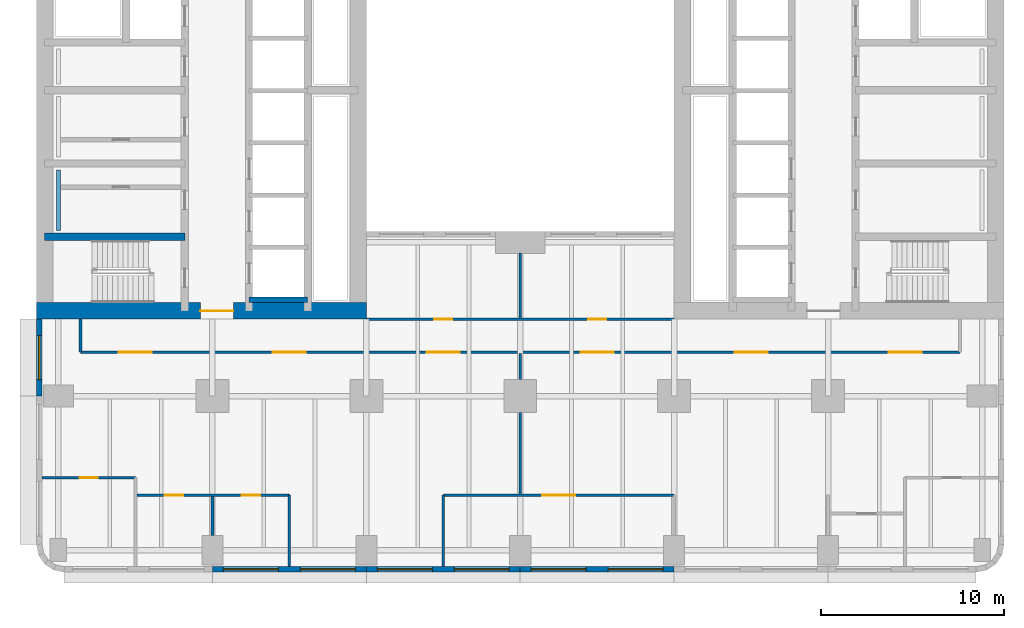
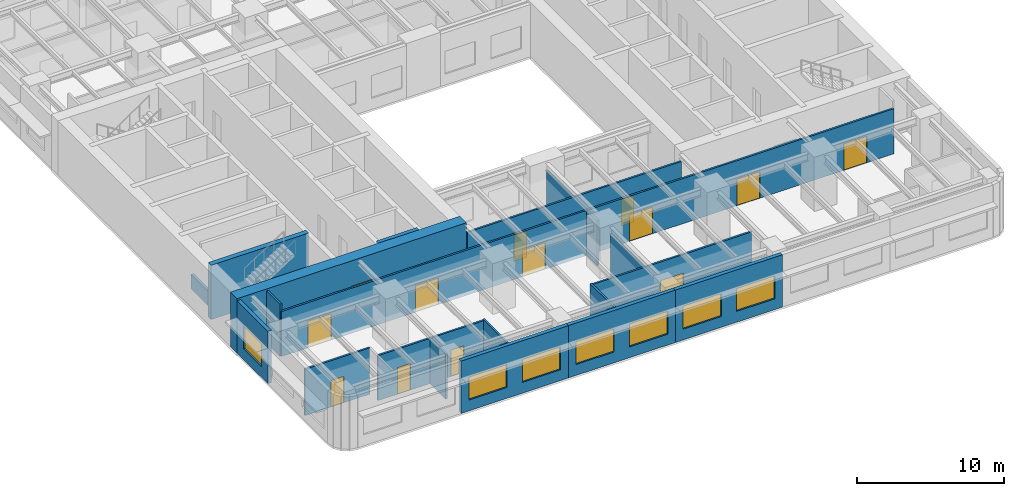
# One storey, part 3 of 12: 20 walls, 13 doors, 7 windows, 20 openings.
"""IFC4 building model written with IfcOpenShell, lengths in metres."""

from ifc_helpers import new_model, si_unit, direction, frame, frame_2d, origin, place, context, subcontext, project, spatial, rectangle, extrude, material, layer, layer_set, type_object, element, fill, save


model = new_model("IFC4")

# Units and contexts
model_context = context("Model", 3, precision=1e-05, world=origin(), true_north=direction((0.0, 1.0)))
body_context = subcontext(model_context, "Body", "Model", "MODEL_VIEW")
ifc_project = project(units=[si_unit("LENGTHUNIT", "METRE"), si_unit("AREAUNIT", "SQUARE_METRE"), si_unit("VOLUMEUNIT", "CUBIC_METRE"), si_unit("PLANEANGLEUNIT", "RADIAN"), si_unit("MASSUNIT", "GRAM", prefix="KILO")], contexts=[model_context])

# Site, building, storey
site_placement = place(None, origin())
site = spatial("IfcSite", under=ifc_project, at=site_placement, CompositionType="ELEMENT")
building_placement = place(site_placement, origin())
building = spatial("IfcBuilding", under=site, at=building_placement, Name="Claustro Exchange Tower", CompositionType="ELEMENT")
storey_placement = place(building_placement, frame((0.0, 0.0, 50.39990234375)))
storey = spatial("IfcBuildingStorey", under=building, at=storey_placement, Name="L11", CompositionType="ELEMENT", Elevation=50.39990234375)

# Wall, opening, door
ifc_material_1 = material(Name="Gypsum board on steel studs", Category="steel")
ifc_layer_1 = layer(ifc_material_1, 0.14990234375)
ifc_layer_set_1 = layer_set([ifc_layer_1], Name="Gypsum board on steel studs")
wall_type_1 = type_object("IfcWallType", Name="P1 150 plasterboard partition", PredefinedType="PARTITIONING", material=ifc_layer_set_1)
wall_1_placement = place(storey_placement, frame((-0.902099609375, 3.949951171875, 0.0), z_axis=(0.0, 0.0, 1.0), x_axis=(1.0, 0.0, 0.0)))
wall_1 = element("IfcWall", 1, at=wall_1_placement, inside=storey, type_object=wall_type_1, Name="Partition P1 L11", PredefinedType="PARTITIONING", context=body_context, shape_type="SweptSolid", body=[
    extrude(rectangle(XDim=5.10205078125, YDim=0.14990234375, at=frame_2d((2.551025390625, 0.0))), origin(), (0.0, 0.0, 1.0), 3.840087890625),
])
opening_1_placement = place(wall_1_placement, frame((2.052001953125, 0.0, 0.0)))
opening_1 = element("IfcOpeningElement", 2, at=opening_1_placement, cuts=wall_1, Name="Opening D1", PredefinedType="OPENING", context=body_context, shape_type="SweptSolid", body=[
    extrude(rectangle(XDim=1.0, YDim=2.199951171875, at=frame_2d((0.5, 1.10009765625))), frame((0.0, 0.0849609375, 0.0), z_axis=(0.0, -1.0, 0.0), x_axis=(1.0, 0.0, 0.0)), (0.0, 0.0, 1.0), 0.169921875),
])
ifc_material_2 = material(Name="Timber door, oak veneer", Category="wood")
door_type_1 = type_object("IfcDoorType", Name="D1 1000 x 2200 single door", OperationType="SINGLE_SWING_LEFT", PredefinedType="DOOR", material=ifc_material_2)
door_1_placement = place(opening_1_placement, frame((1.0, 0.0, 0.0), z_axis=(0.0, 0.0, 1.0), x_axis=(-1.0, 0.0, 0.0)))
door_1 = element("IfcDoor", 3, at=door_1_placement, inside=storey, type_object=door_type_1, Name="Door D1 L11", OperationType="SINGLE_SWING_LEFT", OverallHeight=2.199951171875, OverallWidth=1.0, PredefinedType="DOOR", context=body_context, shape_type="SweptSolid", body=[
    extrude(rectangle(XDim=1.0, YDim=2.199951171875, at=frame_2d((0.5, 1.10009765625))), frame((0.0, 0.02490234375, 0.0), z_axis=(0.0, -1.0, 0.0), x_axis=(1.0, 0.0, 0.0)), (0.0, 0.0, 1.0), 0.050048828125),
])
fill(opening_1, door_1)

# Wall, openings, doors
wall_2_placement = place(storey_placement, frame((4.27392578125, 3.0, 0.0), z_axis=(0.0, 0.0, 1.0), x_axis=(1.0, 0.0, 0.0)))
wall_2 = element("IfcWall", 4, at=wall_2_placement, inside=storey, type_object=wall_type_1, Name="Partition P1 L11", PredefinedType="PARTITIONING", context=body_context, shape_type="SweptSolid", body=[
    extrude(rectangle(XDim=8.326171875, YDim=0.14990234375, at=frame_2d((4.1630859375, 0.0))), origin(), (0.0, 0.0, 1.0), 3.739990234375),
])
opening_2_placement = place(wall_2_placement, frame((1.52587890625, 0.0, 0.0)))
opening_2 = element("IfcOpeningElement", 5, at=opening_2_placement, cuts=wall_2, Name="Opening D1", PredefinedType="OPENING", context=body_context, shape_type="SweptSolid", body=[
    extrude(rectangle(XDim=1.0, YDim=2.199951171875, at=frame_2d((0.5, 1.10009765625))), frame((0.0, 0.0849609375, 0.0), z_axis=(0.0, -1.0, 0.0), x_axis=(1.0, 0.0, 0.0)), (0.0, 0.0, 1.0), 0.169921875),
])
opening_3_placement = place(wall_2_placement, frame((5.72607421875, 0.0, 0.0)))
opening_3 = element("IfcOpeningElement", 6, at=opening_3_placement, cuts=wall_2, Name="Opening D1", PredefinedType="OPENING", context=body_context, shape_type="SweptSolid", body=[
    extrude(rectangle(XDim=1.0, YDim=2.199951171875, at=frame_2d((0.5, 1.10009765625))), frame((0.0, 0.0849609375, 0.0), z_axis=(0.0, -1.0, 0.0), x_axis=(1.0, 0.0, 0.0)), (0.0, 0.0, 1.0), 0.169921875),
])
door_2_placement = place(opening_2_placement, frame((1.0, 0.0, 0.0), z_axis=(0.0, 0.0, 1.0), x_axis=(-1.0, 0.0, 0.0)))
door_2 = element("IfcDoor", 7, at=door_2_placement, inside=storey, type_object=door_type_1, Name="Door D1 L11", OperationType="SINGLE_SWING_RIGHT", OverallHeight=2.199951171875, OverallWidth=1.0, PredefinedType="DOOR", context=body_context, shape_type="SweptSolid", body=[
    extrude(rectangle(XDim=1.0, YDim=2.199951171875, at=frame_2d((0.5, 1.10009765625))), frame((0.0, 0.02490234375, 0.0), z_axis=(0.0, -1.0, 0.0), x_axis=(1.0, 0.0, 0.0)), (0.0, 0.0, 1.0), 0.050048828125),
])
fill(opening_2, door_2)
door_3_placement = place(opening_3_placement, frame((1.0, 0.0, 0.0), z_axis=(0.0, 0.0, 1.0), x_axis=(-1.0, 0.0, 0.0)))
door_3 = element("IfcDoor", 8, at=door_3_placement, inside=storey, type_object=door_type_1, Name="Door D1 L11", OperationType="SINGLE_SWING_RIGHT", OverallHeight=2.199951171875, OverallWidth=1.0, PredefinedType="DOOR", context=body_context, shape_type="SweptSolid", body=[
    extrude(rectangle(XDim=1.0, YDim=2.199951171875, at=frame_2d((0.5, 1.10009765625))), frame((0.0, 0.02490234375, 0.0), z_axis=(0.0, -1.0, 0.0), x_axis=(1.0, 0.0, 0.0)), (0.0, 0.0, 1.0), 0.050048828125),
])
fill(opening_3, door_3)

# Walls
wall_3_placement = place(storey_placement, frame((8.39990234375, 0.799072265625, 0.0), z_axis=(0.0, 0.0, 1.0), x_axis=(0.0, 1.0, 0.0)))
element("IfcWall", 9, at=wall_3_placement, inside=storey, type_object=wall_type_1, Name="Partition P1 L11", PredefinedType="PARTITIONING", context=body_context, shape_type="SweptSolid", body=[
    extrude(rectangle(XDim=2.126953125, YDim=0.14990234375, at=frame_2d((1.0634765625, 0.0))), origin(), (0.0, 0.0, 1.0), 3.739990234375),
])
wall_4_placement = place(storey_placement, frame((12.60009765625, -0.902099609375, 0.0), z_axis=(0.0, 0.0, 1.0), x_axis=(0.0, 1.0, 0.0)))
element("IfcWall", 10, at=wall_4_placement, inside=storey, type_object=wall_type_1, Name="Partition P1 L11", PredefinedType="PARTITIONING", context=body_context, shape_type="SweptSolid", body=[
    extrude(rectangle(XDim=3.902099609375, YDim=0.14990234375, at=frame_2d((1.951171875, 0.0))), origin(), (0.0, 0.0, 1.0), 3.840087890625),
])

# Wall, opening, door
wall_5_placement = place(storey_placement, frame((21.0, 3.0, 0.0), z_axis=(0.0, 0.0, 1.0), x_axis=(1.0, 0.0, 0.0)))
wall_5 = element("IfcWall", 11, at=wall_5_placement, inside=storey, type_object=wall_type_1, Name="Partition P1 L11", PredefinedType="PARTITIONING", context=body_context, shape_type="SweptSolid", body=[
    extrude(rectangle(XDim=12.60009765625, YDim=0.14990234375, at=frame_2d((6.300048828125, 0.0))), origin(), (0.0, 0.0, 1.0), 3.739990234375),
])
opening_4_placement = place(wall_5_placement, frame((5.39990234375, 0.0, 0.0)))
opening_4 = element("IfcOpeningElement", 12, at=opening_4_placement, cuts=wall_5, Name="Opening D2", PredefinedType="OPENING", context=body_context, shape_type="SweptSolid", body=[
    extrude(rectangle(XDim=1.800048828125, YDim=2.199951171875, at=frame_2d((0.89990234375, 1.10009765625))), frame((0.0, 0.0849609375, 0.0), z_axis=(0.0, -1.0, 0.0), x_axis=(1.0, 0.0, 0.0)), (0.0, 0.0, 1.0), 0.169921875),
])
ifc_material_3 = material(Name="Timber door, oak veneer", Category="wood")
door_type_2 = type_object("IfcDoorType", Name="D2 1800 x 2200 double door", OperationType="DOUBLE_DOOR_SINGLE_SWING", PredefinedType="DOOR", material=ifc_material_3)
door_4_placement = place(opening_4_placement, frame((1.800048828125, 0.0, 0.0), z_axis=(0.0, 0.0, 1.0), x_axis=(-1.0, 0.0, 0.0)))
door_4 = element("IfcDoor", 13, at=door_4_placement, inside=storey, type_object=door_type_2, Name="Double door D2 L11", OperationType="DOUBLE_DOOR_SINGLE_SWING", OverallHeight=2.199951171875, OverallWidth=1.800048828125, PredefinedType="DOOR", context=body_context, shape_type="SweptSolid", body=[
    extrude(rectangle(XDim=1.800048828125, YDim=2.199951171875, at=frame_2d((0.89990234375, 1.10009765625))), frame((0.0, 0.02490234375, 0.0), z_axis=(0.0, -1.0, 0.0), x_axis=(1.0, 0.0, 0.0)), (0.0, 0.0, 1.0), 0.050048828125),
])
fill(opening_4, door_4)

# Walls
wall_6_placement = place(storey_placement, frame((21.0, -0.902099609375, 0.0), z_axis=(0.0, 0.0, 1.0), x_axis=(0.0, 1.0, 0.0)))
element("IfcWall", 14, at=wall_6_placement, inside=storey, type_object=wall_type_1, Name="Partition P1 L11", PredefinedType="PARTITIONING", context=body_context, shape_type="SweptSolid", body=[
    extrude(rectangle(XDim=3.902099609375, YDim=0.14990234375, at=frame_2d((1.951171875, 0.0))), origin(), (0.0, 0.0, 1.0), 3.840087890625),
])
wall_7_placement = place(storey_placement, frame((25.199951171875, 3.073974609375, 0.0), z_axis=(0.0, 0.0, 1.0), x_axis=(0.0, 1.0, 0.0)))
element("IfcWall", 15, at=wall_7_placement, inside=storey, type_object=wall_type_1, Name="Partition P1 L11", PredefinedType="PARTITIONING", context=body_context, shape_type="SweptSolid", body=[
    extrude(rectangle(XDim=4.427001953125, YDim=0.14990234375, at=frame_2d((2.21337890625, 0.0))), origin(), (0.0, 0.0, 1.0), 3.739990234375),
])
wall_8_placement = place(storey_placement, frame((25.199951171875, 9.299072265625, 0.0), z_axis=(0.0, 0.0, 1.0), x_axis=(0.0, 1.0, 0.0)))
element("IfcWall", 16, at=wall_8_placement, inside=storey, type_object=wall_type_1, Name="Partition P1 L11", PredefinedType="PARTITIONING", context=body_context, shape_type="SweptSolid", body=[
    extrude(rectangle(XDim=1.427001953125, YDim=0.14990234375, at=frame_2d((0.71337890625, 0.0))), origin(), (0.0, 0.0, 1.0), 3.739990234375),
])

# Wall, openings, doors
wall_9_placement = place(storey_placement, frame((1.199951171875, 10.800048828125, 0.0), z_axis=(0.0, 0.0, 1.0), x_axis=(1.0, 0.0, 0.0)))
wall_9 = element("IfcWall", 17, at=wall_9_placement, inside=storey, type_object=wall_type_1, Name="Partition P1 L11", PredefinedType="PARTITIONING", context=body_context, shape_type="SweptSolid", body=[
    extrude(rectangle(XDim=48.0, YDim=0.14990234375, at=frame_2d((24.0, 0.0))), origin(), (0.0, 0.0, 1.0), 3.739990234375),
])
opening_5_placement = place(wall_9_placement, frame((2.10009765625, 0.0, 0.0)))
opening_5 = element("IfcOpeningElement", 18, at=opening_5_placement, cuts=wall_9, Name="Opening D2", PredefinedType="OPENING", context=body_context, shape_type="SweptSolid", body=[
    extrude(rectangle(XDim=1.800048828125, YDim=2.199951171875, at=frame_2d((0.89990234375, 1.10009765625))), frame((0.0, 0.0849609375, 0.0), z_axis=(0.0, -1.0, 0.0), x_axis=(1.0, 0.0, 0.0)), (0.0, 0.0, 1.0), 0.169921875),
])
opening_6_placement = place(wall_9_placement, frame((10.5, 0.0, 0.0)))
opening_6 = element("IfcOpeningElement", 19, at=opening_6_placement, cuts=wall_9, Name="Opening D2", PredefinedType="OPENING", context=body_context, shape_type="SweptSolid", body=[
    extrude(rectangle(XDim=1.800048828125, YDim=2.199951171875, at=frame_2d((0.89990234375, 1.10009765625))), frame((0.0, 0.0849609375, 0.0), z_axis=(0.0, -1.0, 0.0), x_axis=(1.0, 0.0, 0.0)), (0.0, 0.0, 1.0), 0.169921875),
])
opening_7_placement = place(wall_9_placement, frame((18.89990234375, 0.0, 0.0)))
opening_7 = element("IfcOpeningElement", 20, at=opening_7_placement, cuts=wall_9, Name="Opening D2", PredefinedType="OPENING", context=body_context, shape_type="SweptSolid", body=[
    extrude(rectangle(XDim=1.800048828125, YDim=2.199951171875, at=frame_2d((0.89990234375, 1.10009765625))), frame((0.0, 0.0849609375, 0.0), z_axis=(0.0, -1.0, 0.0), x_axis=(1.0, 0.0, 0.0)), (0.0, 0.0, 1.0), 0.169921875),
])
opening_8_placement = place(wall_9_placement, frame((27.300048828125, 0.0, 0.0)))
opening_8 = element("IfcOpeningElement", 21, at=opening_8_placement, cuts=wall_9, Name="Opening D2", PredefinedType="OPENING", context=body_context, shape_type="SweptSolid", body=[
    extrude(rectangle(XDim=1.800048828125, YDim=2.199951171875, at=frame_2d((0.89990234375, 1.10009765625))), frame((0.0, 0.0849609375, 0.0), z_axis=(0.0, -1.0, 0.0), x_axis=(1.0, 0.0, 0.0)), (0.0, 0.0, 1.0), 0.169921875),
])
opening_9_placement = place(wall_9_placement, frame((35.699951171875, 0.0, 0.0)))
opening_9 = element("IfcOpeningElement", 22, at=opening_9_placement, cuts=wall_9, Name="Opening D2", PredefinedType="OPENING", context=body_context, shape_type="SweptSolid", body=[
    extrude(rectangle(XDim=1.800048828125, YDim=2.199951171875, at=frame_2d((0.89990234375, 1.10009765625))), frame((0.0, 0.0849609375, 0.0), z_axis=(0.0, -1.0, 0.0), x_axis=(1.0, 0.0, 0.0)), (0.0, 0.0, 1.0), 0.169921875),
])
opening_10_placement = place(wall_9_placement, frame((44.10009765625, 0.0, 0.0)))
opening_10 = element("IfcOpeningElement", 23, at=opening_10_placement, cuts=wall_9, Name="Opening D2", PredefinedType="OPENING", context=body_context, shape_type="SweptSolid", body=[
    extrude(rectangle(XDim=1.800048828125, YDim=2.199951171875, at=frame_2d((0.89990234375, 1.10009765625))), frame((0.0, 0.0849609375, 0.0), z_axis=(0.0, -1.0, 0.0), x_axis=(1.0, 0.0, 0.0)), (0.0, 0.0, 1.0), 0.169921875),
])
door_5_placement = place(opening_5_placement, frame((1.800048828125, 0.0, 0.0), z_axis=(0.0, 0.0, 1.0), x_axis=(-1.0, 0.0, 0.0)))
door_5 = element("IfcDoor", 24, at=door_5_placement, inside=storey, type_object=door_type_2, Name="Double door D2 L11", OperationType="DOUBLE_DOOR_SINGLE_SWING", OverallHeight=2.199951171875, OverallWidth=1.800048828125, PredefinedType="DOOR", context=body_context, shape_type="SweptSolid", body=[
    extrude(rectangle(XDim=1.800048828125, YDim=2.199951171875, at=frame_2d((0.89990234375, 1.10009765625))), frame((0.0, 0.02490234375, 0.0), z_axis=(0.0, -1.0, 0.0), x_axis=(1.0, 0.0, 0.0)), (0.0, 0.0, 1.0), 0.050048828125),
])
fill(opening_5, door_5)
door_6_placement = place(opening_6_placement, frame((1.800048828125, 0.0, 0.0), z_axis=(0.0, 0.0, 1.0), x_axis=(-1.0, 0.0, 0.0)))
door_6 = element("IfcDoor", 25, at=door_6_placement, inside=storey, type_object=door_type_2, Name="Double door D2 L11", OperationType="DOUBLE_DOOR_SINGLE_SWING", OverallHeight=2.199951171875, OverallWidth=1.800048828125, PredefinedType="DOOR", context=body_context, shape_type="SweptSolid", body=[
    extrude(rectangle(XDim=1.800048828125, YDim=2.199951171875, at=frame_2d((0.89990234375, 1.10009765625))), frame((0.0, 0.02490234375, 0.0), z_axis=(0.0, -1.0, 0.0), x_axis=(1.0, 0.0, 0.0)), (0.0, 0.0, 1.0), 0.050048828125),
])
fill(opening_6, door_6)
door_7_placement = place(opening_7_placement, frame((1.800048828125, 0.0, 0.0), z_axis=(0.0, 0.0, 1.0), x_axis=(-1.0, 0.0, 0.0)))
door_7 = element("IfcDoor", 26, at=door_7_placement, inside=storey, type_object=door_type_2, Name="Double door D2 L11", OperationType="DOUBLE_DOOR_SINGLE_SWING", OverallHeight=2.199951171875, OverallWidth=1.800048828125, PredefinedType="DOOR", context=body_context, shape_type="SweptSolid", body=[
    extrude(rectangle(XDim=1.800048828125, YDim=2.199951171875, at=frame_2d((0.89990234375, 1.10009765625))), frame((0.0, 0.02490234375, 0.0), z_axis=(0.0, -1.0, 0.0), x_axis=(1.0, 0.0, 0.0)), (0.0, 0.0, 1.0), 0.050048828125),
])
fill(opening_7, door_7)
door_8_placement = place(opening_8_placement, frame((1.800048828125, 0.0, 0.0), z_axis=(0.0, 0.0, 1.0), x_axis=(-1.0, 0.0, 0.0)))
door_8 = element("IfcDoor", 27, at=door_8_placement, inside=storey, type_object=door_type_2, Name="Double door D2 L11", OperationType="DOUBLE_DOOR_SINGLE_SWING", OverallHeight=2.199951171875, OverallWidth=1.800048828125, PredefinedType="DOOR", context=body_context, shape_type="SweptSolid", body=[
    extrude(rectangle(XDim=1.800048828125, YDim=2.199951171875, at=frame_2d((0.89990234375, 1.10009765625))), frame((0.0, 0.02490234375, 0.0), z_axis=(0.0, -1.0, 0.0), x_axis=(1.0, 0.0, 0.0)), (0.0, 0.0, 1.0), 0.050048828125),
])
fill(opening_8, door_8)
door_9_placement = place(opening_9_placement, frame((1.800048828125, 0.0, 0.0), z_axis=(0.0, 0.0, 1.0), x_axis=(-1.0, 0.0, 0.0)))
door_9 = element("IfcDoor", 28, at=door_9_placement, inside=storey, type_object=door_type_2, Name="Double door D2 L11", OperationType="DOUBLE_DOOR_SINGLE_SWING", OverallHeight=2.199951171875, OverallWidth=1.800048828125, PredefinedType="DOOR", context=body_context, shape_type="SweptSolid", body=[
    extrude(rectangle(XDim=1.800048828125, YDim=2.199951171875, at=frame_2d((0.89990234375, 1.10009765625))), frame((0.0, 0.02490234375, 0.0), z_axis=(0.0, -1.0, 0.0), x_axis=(1.0, 0.0, 0.0)), (0.0, 0.0, 1.0), 0.050048828125),
])
fill(opening_9, door_9)
door_10_placement = place(opening_10_placement, frame((1.800048828125, 0.0, 0.0), z_axis=(0.0, 0.0, 1.0), x_axis=(-1.0, 0.0, 0.0)))
door_10 = element("IfcDoor", 29, at=door_10_placement, inside=storey, type_object=door_type_2, Name="Double door D2 L11", OperationType="DOUBLE_DOOR_SINGLE_SWING", OverallHeight=2.199951171875, OverallWidth=1.800048828125, PredefinedType="DOOR", context=body_context, shape_type="SweptSolid", body=[
    extrude(rectangle(XDim=1.800048828125, YDim=2.199951171875, at=frame_2d((0.89990234375, 1.10009765625))), frame((0.0, 0.02490234375, 0.0), z_axis=(0.0, -1.0, 0.0), x_axis=(1.0, 0.0, 0.0)), (0.0, 0.0, 1.0), 0.050048828125),
])
fill(opening_10, door_10)

# Wall
wall_10_placement = place(storey_placement, frame((1.199951171875, 10.800048828125, 0.0), z_axis=(0.0, 0.0, 1.0), x_axis=(0.0, 1.0, 0.0)))
element("IfcWall", 30, at=wall_10_placement, inside=storey, type_object=wall_type_1, Name="Partition P1 L11", PredefinedType="PARTITIONING", context=body_context, shape_type="SweptSolid", body=[
    extrude(rectangle(XDim=1.802001953125, YDim=0.14990234375, at=frame_2d((0.90087890625, 0.0))), origin(), (0.0, 0.0, 1.0), 4.340087890625),
])

# Wall, openings, doors
wall_11_placement = place(storey_placement, frame((16.820068359375, 12.60009765625, 0.0), z_axis=(0.0, 0.0, 1.0), x_axis=(1.0, 0.0, 0.0)))
wall_11 = element("IfcWall", 31, at=wall_11_placement, inside=storey, type_object=wall_type_1, Name="Partition P1 L11", PredefinedType="PARTITIONING", context=body_context, shape_type="SweptSolid", body=[
    extrude(rectangle(XDim=16.760009765625, YDim=0.14990234375, at=frame_2d((8.3798828125, 0.0))), origin(), (0.0, 0.0, 1.0), 3.739990234375),
])
opening_11_placement = place(wall_11_placement, frame((3.679931640625, 0.0, 0.0)))
opening_11 = element("IfcOpeningElement", 32, at=opening_11_placement, cuts=wall_11, Name="Opening D1", PredefinedType="OPENING", context=body_context, shape_type="SweptSolid", body=[
    extrude(rectangle(XDim=1.0, YDim=2.199951171875, at=frame_2d((0.5, 1.10009765625))), frame((0.0, 0.0849609375, 0.0), z_axis=(0.0, -1.0, 0.0), x_axis=(1.0, 0.0, 0.0)), (0.0, 0.0, 1.0), 0.169921875),
])
opening_12_placement = place(wall_11_placement, frame((12.080078125, 0.0, 0.0)))
opening_12 = element("IfcOpeningElement", 33, at=opening_12_placement, cuts=wall_11, Name="Opening D1", PredefinedType="OPENING", context=body_context, shape_type="SweptSolid", body=[
    extrude(rectangle(XDim=1.0, YDim=2.199951171875, at=frame_2d((0.5, 1.10009765625))), frame((0.0, 0.0849609375, 0.0), z_axis=(0.0, -1.0, 0.0), x_axis=(1.0, 0.0, 0.0)), (0.0, 0.0, 1.0), 0.169921875),
])
door_11_placement = place(opening_11_placement, origin())
door_11 = element("IfcDoor", 34, at=door_11_placement, inside=storey, type_object=door_type_1, Name="Door D1 L11", OperationType="SINGLE_SWING_RIGHT", OverallHeight=2.199951171875, OverallWidth=1.0, PredefinedType="DOOR", context=body_context, shape_type="SweptSolid", body=[
    extrude(rectangle(XDim=1.0, YDim=2.199951171875, at=frame_2d((0.5, 1.10009765625))), frame((0.0, 0.02490234375, 0.0), z_axis=(0.0, -1.0, 0.0), x_axis=(1.0, 0.0, 0.0)), (0.0, 0.0, 1.0), 0.050048828125),
])
fill(opening_11, door_11)
door_12_placement = place(opening_12_placement, origin())
door_12 = element("IfcDoor", 35, at=door_12_placement, inside=storey, type_object=door_type_1, Name="Door D1 L11", OperationType="SINGLE_SWING_LEFT", OverallHeight=2.199951171875, OverallWidth=1.0, PredefinedType="DOOR", context=body_context, shape_type="SweptSolid", body=[
    extrude(rectangle(XDim=1.0, YDim=2.199951171875, at=frame_2d((0.5, 1.10009765625))), frame((0.0, 0.02490234375, 0.0), z_axis=(0.0, -1.0, 0.0), x_axis=(1.0, 0.0, 0.0)), (0.0, 0.0, 1.0), 0.050048828125),
])
fill(opening_12, door_12)

# Wall
wall_12_placement = place(storey_placement, frame((25.199951171875, 12.674072265625, 0.0), z_axis=(0.0, 0.0, 1.0), x_axis=(0.0, 1.0, 0.0)))
element("IfcWall", 36, at=wall_12_placement, inside=storey, type_object=wall_type_1, Name="Partition P1 L11", PredefinedType="PARTITIONING", context=body_context, shape_type="SweptSolid", body=[
    extrude(rectangle(XDim=3.52685546875, YDim=0.14990234375, at=frame_2d((1.763427734375, 0.0))), origin(), (0.0, 0.0, 1.0), 3.739990234375),
])

# Wall, openings, windows
ifc_material_4 = material(Name="Concrete HA-40 (C40/50), precast, white cement, acid-etched", Category="concrete")
ifc_layer_2 = layer(ifc_material_4, 0.300048828125)
ifc_layer_set_2 = layer_set([ifc_layer_2], Name="Concrete HA-40 (C40/50), precast, white cement, acid-etched")
wall_type_2 = type_object("IfcWallType", Name="PC1 300 precast concrete pier panel", PredefinedType="SOLIDWALL", material=ifc_layer_set_2)
wall_13_placement = place(storey_placement, frame((33.60009765625, -1.050048828125, 0.0), z_axis=(0.0, 0.0, 1.0), x_axis=(-1.0, 0.0, 0.0)))
wall_13 = element("IfcWall", 37, at=wall_13_placement, inside=storey, type_object=wall_type_2, Name="Precast pier panel PC1 L11", PredefinedType="SOLIDWALL", context=body_context, shape_type="SweptSolid", body=[
    extrude(rectangle(XDim=8.400146484375, YDim=0.300048828125, at=frame_2d((4.2001953125, 0.0))), origin(), (0.0, 0.0, 1.0), 4.340087890625),
])
opening_13_placement = place(wall_13_placement, frame((0.60009765625, 0.0, 0.89990234375)))
opening_13 = element("IfcOpeningElement", 38, at=opening_13_placement, cuts=wall_13, Name="Opening W1", PredefinedType="OPENING", context=body_context, shape_type="SweptSolid", body=[
    extrude(rectangle(XDim=3.0, YDim=1.89990234375, at=frame_2d((1.5, 0.949951171875))), frame((0.0, 0.159912109375, 0.0), z_axis=(0.0, -1.0, 0.0), x_axis=(1.0, 0.0, 0.0)), (0.0, 0.0, 1.0), 0.320068359375),
])
opening_14_placement = place(wall_13_placement, frame((4.800048828125, 0.0, 0.89990234375)))
opening_14 = element("IfcOpeningElement", 39, at=opening_14_placement, cuts=wall_13, Name="Opening W1", PredefinedType="OPENING", context=body_context, shape_type="SweptSolid", body=[
    extrude(rectangle(XDim=3.0, YDim=1.89990234375, at=frame_2d((1.5, 0.949951171875))), frame((0.0, 0.159912109375, 0.0), z_axis=(0.0, -1.0, 0.0), x_axis=(1.0, 0.0, 0.0)), (0.0, 0.0, 1.0), 0.320068359375),
])
ifc_material_5 = material(Name="Aluminium frame, clear double glazing", Category="aluminium")
window_type_1 = type_object("IfcWindowType", Name="W1 3000 x 1900 window", PartitioningType="SINGLE_PANEL", PredefinedType="WINDOW", material=ifc_material_5)
window_1_placement = place(opening_13_placement, origin())
window_1 = element("IfcWindow", 40, at=window_1_placement, inside=storey, type_object=window_type_1, Name="Window W1 L11", OverallHeight=1.89990234375, OverallWidth=3.0, PartitioningType="SINGLE_PANEL", PredefinedType="WINDOW", context=body_context, shape_type="SweptSolid", body=[
    extrude(rectangle(XDim=3.0, YDim=1.89990234375, at=frame_2d((1.5, 0.949951171875))), frame((0.0, 0.030029296875, 0.0), z_axis=(0.0, -1.0, 0.0), x_axis=(1.0, 0.0, 0.0)), (0.0, 0.0, 1.0), 0.06005859375),
])
fill(opening_13, window_1)
window_2_placement = place(opening_14_placement, origin())
window_2 = element("IfcWindow", 41, at=window_2_placement, inside=storey, type_object=window_type_1, Name="Window W1 L11", OverallHeight=1.89990234375, OverallWidth=3.0, PartitioningType="SINGLE_PANEL", PredefinedType="WINDOW", context=body_context, shape_type="SweptSolid", body=[
    extrude(rectangle(XDim=3.0, YDim=1.89990234375, at=frame_2d((1.5, 0.949951171875))), frame((0.0, 0.030029296875, 0.0), z_axis=(0.0, -1.0, 0.0), x_axis=(1.0, 0.0, 0.0)), (0.0, 0.0, 1.0), 0.06005859375),
])
fill(opening_14, window_2)

wall_14_placement = place(storey_placement, frame((25.199951171875, -1.050048828125, 0.0), z_axis=(0.0, 0.0, 1.0), x_axis=(-1.0, 0.0, 0.0)))
wall_14 = element("IfcWall", 42, at=wall_14_placement, inside=storey, type_object=wall_type_2, Name="Precast pier panel PC1 L11", PredefinedType="SOLIDWALL", context=body_context, shape_type="SweptSolid", body=[
    extrude(rectangle(XDim=8.39990234375, YDim=0.300048828125, at=frame_2d((4.199951171875, 0.0))), origin(), (0.0, 0.0, 1.0), 4.340087890625),
])
opening_15_placement = place(wall_14_placement, frame((0.60009765625, 0.0, 0.89990234375)))
opening_15 = element("IfcOpeningElement", 43, at=opening_15_placement, cuts=wall_14, Name="Opening W1", PredefinedType="OPENING", context=body_context, shape_type="SweptSolid", body=[
    extrude(rectangle(XDim=3.0, YDim=1.89990234375, at=frame_2d((1.5, 0.949951171875))), frame((0.0, 0.159912109375, 0.0), z_axis=(0.0, -1.0, 0.0), x_axis=(1.0, 0.0, 0.0)), (0.0, 0.0, 1.0), 0.320068359375),
])
opening_16_placement = place(wall_14_placement, frame((4.800048828125, 0.0, 0.89990234375)))
opening_16 = element("IfcOpeningElement", 44, at=opening_16_placement, cuts=wall_14, Name="Opening W1", PredefinedType="OPENING", context=body_context, shape_type="SweptSolid", body=[
    extrude(rectangle(XDim=3.0, YDim=1.89990234375, at=frame_2d((1.5, 0.949951171875))), frame((0.0, 0.159912109375, 0.0), z_axis=(0.0, -1.0, 0.0), x_axis=(1.0, 0.0, 0.0)), (0.0, 0.0, 1.0), 0.320068359375),
])
window_3_placement = place(opening_15_placement, origin())
window_3 = element("IfcWindow", 45, at=window_3_placement, inside=storey, type_object=window_type_1, Name="Window W1 L11", OverallHeight=1.89990234375, OverallWidth=3.0, PartitioningType="SINGLE_PANEL", PredefinedType="WINDOW", context=body_context, shape_type="SweptSolid", body=[
    extrude(rectangle(XDim=3.0, YDim=1.89990234375, at=frame_2d((1.5, 0.949951171875))), frame((0.0, 0.030029296875, 0.0), z_axis=(0.0, -1.0, 0.0), x_axis=(1.0, 0.0, 0.0)), (0.0, 0.0, 1.0), 0.06005859375),
])
fill(opening_15, window_3)
window_4_placement = place(opening_16_placement, origin())
window_4 = element("IfcWindow", 46, at=window_4_placement, inside=storey, type_object=window_type_1, Name="Window W1 L11", OverallHeight=1.89990234375, OverallWidth=3.0, PartitioningType="SINGLE_PANEL", PredefinedType="WINDOW", context=body_context, shape_type="SweptSolid", body=[
    extrude(rectangle(XDim=3.0, YDim=1.89990234375, at=frame_2d((1.5, 0.949951171875))), frame((0.0, 0.030029296875, 0.0), z_axis=(0.0, -1.0, 0.0), x_axis=(1.0, 0.0, 0.0)), (0.0, 0.0, 1.0), 0.06005859375),
])
fill(opening_16, window_4)

wall_15_placement = place(storey_placement, frame((16.800048828125, -1.050048828125, 0.0), z_axis=(0.0, 0.0, 1.0), x_axis=(-1.0, 0.0, 0.0)))
wall_15 = element("IfcWall", 47, at=wall_15_placement, inside=storey, type_object=wall_type_2, Name="Precast pier panel PC1 L11", PredefinedType="SOLIDWALL", context=body_context, shape_type="SweptSolid", body=[
    extrude(rectangle(XDim=8.400146484375, YDim=0.300048828125, at=frame_2d((4.2001953125, 0.0))), origin(), (0.0, 0.0, 1.0), 4.340087890625),
])
opening_17_placement = place(wall_15_placement, frame((0.60009765625, 0.0, 0.89990234375)))
opening_17 = element("IfcOpeningElement", 48, at=opening_17_placement, cuts=wall_15, Name="Opening W1", PredefinedType="OPENING", context=body_context, shape_type="SweptSolid", body=[
    extrude(rectangle(XDim=3.0, YDim=1.89990234375, at=frame_2d((1.5, 0.949951171875))), frame((0.0, 0.159912109375, 0.0), z_axis=(0.0, -1.0, 0.0), x_axis=(1.0, 0.0, 0.0)), (0.0, 0.0, 1.0), 0.320068359375),
])
opening_18_placement = place(wall_15_placement, frame((4.800048828125, 0.0, 0.89990234375)))
opening_18 = element("IfcOpeningElement", 49, at=opening_18_placement, cuts=wall_15, Name="Opening W1", PredefinedType="OPENING", context=body_context, shape_type="SweptSolid", body=[
    extrude(rectangle(XDim=3.0, YDim=1.89990234375, at=frame_2d((1.5, 0.949951171875))), frame((0.0, 0.159912109375, 0.0), z_axis=(0.0, -1.0, 0.0), x_axis=(1.0, 0.0, 0.0)), (0.0, 0.0, 1.0), 0.320068359375),
])
window_5_placement = place(opening_17_placement, origin())
window_5 = element("IfcWindow", 50, at=window_5_placement, inside=storey, type_object=window_type_1, Name="Window W1 L11", OverallHeight=1.89990234375, OverallWidth=3.0, PartitioningType="SINGLE_PANEL", PredefinedType="WINDOW", context=body_context, shape_type="SweptSolid", body=[
    extrude(rectangle(XDim=3.0, YDim=1.89990234375, at=frame_2d((1.5, 0.949951171875))), frame((0.0, 0.030029296875, 0.0), z_axis=(0.0, -1.0, 0.0), x_axis=(1.0, 0.0, 0.0)), (0.0, 0.0, 1.0), 0.06005859375),
])
fill(opening_17, window_5)
window_6_placement = place(opening_18_placement, origin())
window_6 = element("IfcWindow", 51, at=window_6_placement, inside=storey, type_object=window_type_1, Name="Window W1 L11", OverallHeight=1.89990234375, OverallWidth=3.0, PartitioningType="SINGLE_PANEL", PredefinedType="WINDOW", context=body_context, shape_type="SweptSolid", body=[
    extrude(rectangle(XDim=3.0, YDim=1.89990234375, at=frame_2d((1.5, 0.949951171875))), frame((0.0, 0.030029296875, 0.0), z_axis=(0.0, -1.0, 0.0), x_axis=(1.0, 0.0, 0.0)), (0.0, 0.0, 1.0), 0.06005859375),
])
fill(opening_18, window_6)

# Wall, opening, window
wall_16_placement = place(storey_placement, frame((-1.050048828125, 8.39990234375, 0.0), z_axis=(0.0, 0.0, 1.0), x_axis=(0.0, 1.0, 0.0)))
wall_16 = element("IfcWall", 52, at=wall_16_placement, inside=storey, type_object=wall_type_2, Name="Precast pier panel PC1 L11", PredefinedType="SOLIDWALL", context=body_context, shape_type="SweptSolid", body=[
    extrude(rectangle(XDim=4.2001953125, YDim=0.300048828125, at=frame_2d((2.10009765625, 0.0))), origin(), (0.0, 0.0, 1.0), 4.340087890625),
])
opening_19_placement = place(wall_16_placement, frame((0.89990234375, 0.0, 0.89990234375)))
opening_19 = element("IfcOpeningElement", 53, at=opening_19_placement, cuts=wall_16, Name="Opening W2", PredefinedType="OPENING", context=body_context, shape_type="SweptSolid", body=[
    extrude(rectangle(XDim=2.39990234375, YDim=1.89990234375, at=frame_2d((1.199951171875, 0.949951171875))), frame((0.0, 0.159912109375, 0.0), z_axis=(0.0, -1.0, 0.0), x_axis=(1.0, 0.0, 0.0)), (0.0, 0.0, 1.0), 0.320068359375),
])
ifc_material_6 = material(Name="Aluminium frame, clear double glazing", Category="aluminium")
window_type_2 = type_object("IfcWindowType", Name="W2 2400 x 1900 window", PartitioningType="SINGLE_PANEL", PredefinedType="WINDOW", material=ifc_material_6)
window_7_placement = place(opening_19_placement, origin())
window_7 = element("IfcWindow", 54, at=window_7_placement, inside=storey, type_object=window_type_2, Name="Window W2 L11", OverallHeight=1.89990234375, OverallWidth=2.39990234375, PartitioningType="SINGLE_PANEL", PredefinedType="WINDOW", context=body_context, shape_type="SweptSolid", body=[
    extrude(rectangle(XDim=2.39990234375, YDim=1.89990234375, at=frame_2d((1.199951171875, 0.949951171875))), frame((0.0, 0.030029296875, 0.0), z_axis=(0.0, -1.0, 0.0), x_axis=(1.0, 0.0, 0.0)), (0.0, 0.0, 1.0), 0.06005859375),
])
fill(opening_19, window_7)

# Wall
ifc_material_7 = material(Name="Gypsum board on steel studs, tiled", Category="steel")
ifc_layer_3 = layer(ifc_material_7, 0.199951171875)
ifc_layer_set_3 = layer_set([ifc_layer_3], Name="Gypsum board on steel studs, tiled")
wall_type_3 = type_object("IfcWallType", Name="PW1 200 WC duct wall", PredefinedType="PLUMBINGWALL", material=ifc_layer_set_3)
wall_17_placement = place(storey_placement, frame((0.0, 17.449951171875, 0.0), z_axis=(0.0, 0.0, 1.0), x_axis=(0.0, 1.0, 0.0)))
element("IfcWall", 55, at=wall_17_placement, inside=storey, type_object=wall_type_3, Name="WC duct wall PW1 L11", PredefinedType="PLUMBINGWALL", context=body_context, shape_type="SweptSolid", body=[
    extrude(rectangle(XDim=3.300048828125, YDim=0.199951171875, at=frame_2d((1.64990234375, 0.0))), origin(), (0.0, 0.0, 1.0), 1.2001953125),
])

# Wall, opening, door
ifc_material_8 = material(Name="Concrete HA-70 (C70/85)", Category="concrete")
ifc_layer_4 = layer(ifc_material_8, 0.89990234375)
ifc_layer_set_4 = layer_set([ifc_layer_4], Name="Concrete HA-70 (C70/85)")
wall_type_4 = type_object("IfcWallType", Name="SW1 900 core shear wall", PredefinedType="SHEAR", material=ifc_layer_set_4)
wall_18_placement = place(storey_placement, frame((-1.199951171875, 13.050048828125, 0.0), z_axis=(0.0, 0.0, 1.0), x_axis=(1.0, 0.0, 0.0)))
wall_18 = element("IfcWall", 56, at=wall_18_placement, inside=storey, type_object=wall_type_4, Name="Core wall SW1 W core S face L11", PredefinedType="SHEAR", context=body_context, shape_type="SweptSolid", body=[
    extrude(rectangle(XDim=18.0, YDim=0.89990234375, at=frame_2d((9.0, 0.0))), origin(), (0.0, 0.0, 1.0), 4.5),
])
opening_20_placement = place(wall_18_placement, frame((8.949951171875, 0.0, 0.0)))
opening_20 = element("IfcOpeningElement", 57, at=opening_20_placement, cuts=wall_18, Name="Opening D3", PredefinedType="OPENING", context=body_context, shape_type="SweptSolid", body=[
    extrude(rectangle(XDim=1.800048828125, YDim=2.39990234375, at=frame_2d((0.89990234375, 1.199951171875))), frame((0.0, 0.4599609375, 0.0), z_axis=(0.0, -1.0, 0.0), x_axis=(1.0, 0.0, 0.0)), (0.0, 0.0, 1.0), 0.919921875),
])
ifc_material_9 = material(Name="Steel fire door, painted", Category="steel")
door_type_3 = type_object("IfcDoorType", Name="D3 1800 x 2400 fire-rated lobby double door", OperationType="DOUBLE_DOOR_SINGLE_SWING", PredefinedType="DOOR", material=ifc_material_9)
door_13_placement = place(opening_20_placement, origin())
door_13 = element("IfcDoor", 58, at=door_13_placement, inside=storey, type_object=door_type_3, Name="Lift lobby door D3 L11", OperationType="DOUBLE_DOOR_SINGLE_SWING", OverallHeight=2.39990234375, OverallWidth=1.800048828125, PredefinedType="DOOR", context=body_context, shape_type="SweptSolid", body=[
    extrude(rectangle(XDim=1.800048828125, YDim=2.39990234375, at=frame_2d((0.89990234375, 1.199951171875))), frame((0.0, 0.02490234375, 0.0), z_axis=(0.0, -1.0, 0.0), x_axis=(1.0, 0.0, 0.0)), (0.0, 0.0, 1.0), 0.050048828125),
])
fill(opening_20, door_13)

# Walls
ifc_material_10 = material(Name="Concrete HA-50 (C50/60)", Category="concrete")
ifc_layer_5 = layer(ifc_material_10, 0.39990234375)
ifc_layer_set_5 = layer_set([ifc_layer_5], Name="Concrete HA-50 (C50/60)")
wall_type_5 = type_object("IfcWallType", Name="SW4 400 internal core wall", PredefinedType="SHEAR", material=ifc_layer_set_5)
wall_19_placement = place(storey_placement, frame((-0.75, 17.10009765625, 0.0), z_axis=(0.0, 0.0, 1.0), x_axis=(1.0, 0.0, 0.0)))
element("IfcWall", 59, at=wall_19_placement, inside=storey, type_object=wall_type_5, Name="Internal core wall SW4 W core L11", PredefinedType="SHEAR", context=body_context, shape_type="SweptSolid", body=[
    extrude(rectangle(XDim=7.64990234375, YDim=0.39990234375, at=frame_2d((3.824951171875, 0.0))), origin(), (0.0, 0.0, 1.0), 4.5),
])
ifc_material_11 = material(Name="Concrete HA-50 (C50/60)", Category="concrete")
ifc_layer_6 = layer(ifc_material_11, 0.300048828125)
ifc_layer_set_6 = layer_set([ifc_layer_6], Name="Concrete HA-50 (C50/60)")
wall_type_6 = type_object("IfcWallType", Name="SW6A 300 lift shaft end wall", PredefinedType="SHEAR", material=ifc_layer_set_6)
wall_20_placement = place(storey_placement, frame((10.39990234375, 13.64990234375, 0.0), z_axis=(0.0, 0.0, 1.0), x_axis=(1.0, 0.0, 0.0)))
element("IfcWall", 60, at=wall_20_placement, inside=storey, type_object=wall_type_6, Name="Lift shaft wall W core L11", PredefinedType="SHEAR", context=body_context, shape_type="SweptSolid", body=[
    extrude(rectangle(XDim=3.2001953125, YDim=0.300048828125, at=frame_2d((1.60009765625, 0.0))), origin(), (0.0, 0.0, 1.0), 4.5),
])

save(model, "model.ifc")
